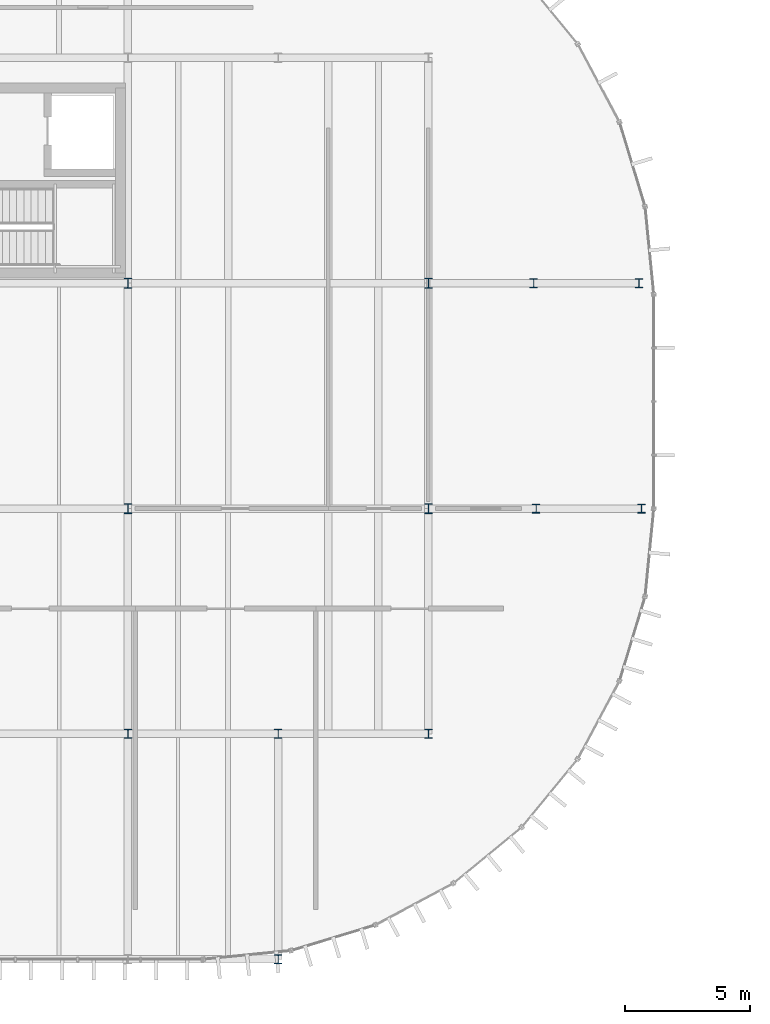
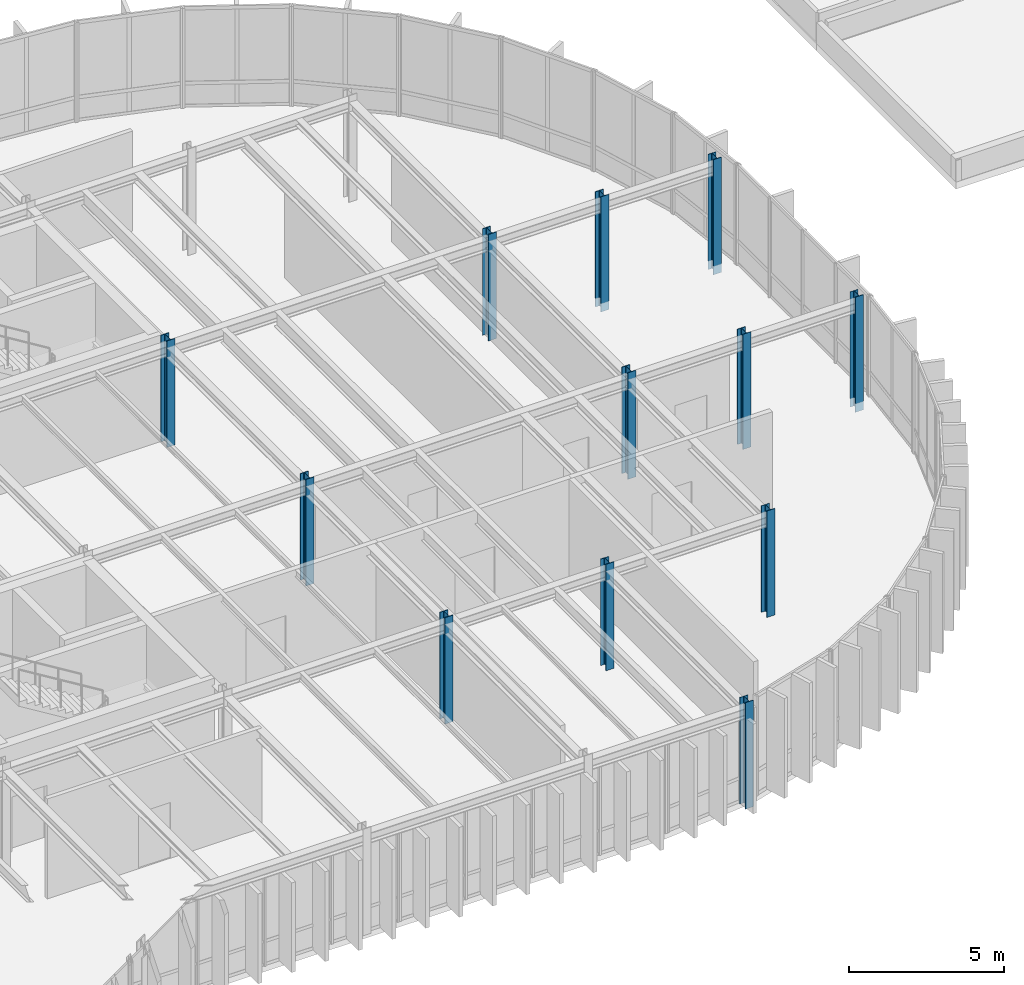
# One storey, part 3 of 31: 12 columns.
"""IFC4 building model written with IfcOpenShell, lengths in metres."""

from ifc_helpers import new_model, si_unit, direction, frame, origin, origin_2d, place, context, subcontext, project, spatial, i_section, extrude, material, material_profile, profile_set, type_object, element, save


model = new_model("IFC4")

# Units and contexts
model_context = context("Model", 3, precision=1e-05, world=origin(), true_north=direction((0.0, 1.0)))
body_context = subcontext(model_context, "Body", "Model", "MODEL_VIEW")
ifc_project = project(units=[si_unit("LENGTHUNIT", "METRE"), si_unit("AREAUNIT", "SQUARE_METRE"), si_unit("VOLUMEUNIT", "CUBIC_METRE"), si_unit("PLANEANGLEUNIT", "RADIAN"), si_unit("MASSUNIT", "GRAM", prefix="KILO")], contexts=[model_context])

# Site, building, storey
site_placement = place(None, origin())
site = spatial("IfcSite", under=ifc_project, at=site_placement, CompositionType="ELEMENT")
building_placement = place(site_placement, origin())
building = spatial("IfcBuilding", under=site, at=building_placement, Name="Montealbar Specialist Clinic", CompositionType="ELEMENT")
storey_placement = place(building_placement, frame((0.0, 0.0, 13.800048828125)))
storey = spatial("IfcBuildingStorey", under=building, at=storey_placement, Name="L03", CompositionType="ELEMENT", Elevation=13.800048828125)

# Columns
ifc_material = material(Name="Steel S355", Category="steel")
ifc_material_profile_1 = material_profile(ifc_material, i_section(OverallWidth=0.300048828125, OverallDepth=0.39990234375, WebThickness=0.013427734375, FlangeThickness=0.02392578125, FilletRadius=0.027099609375, at=origin_2d()), Name="HEB 400", Category="steel")
ifc_profile_set_1 = profile_set([ifc_material_profile_1], Name="Steel S355")
column_type_1 = type_object("IfcColumnType", Name="COL-S-L02-STD", PredefinedType="COLUMN", material=ifc_profile_set_1)
for number, where, z_axis, x_axis, name in (
    (1, (99.0, 18.0, 0.0), (0.0, 0.0, 1.0), (1.0, 0.0, 0.0), "Column 13/C L03"),
    (2, (99.0, 27.0, 0.0), (0.0, 0.0, 1.0), (1.0, 0.0, 0.0), "Column 13/D L03"),
    (3, (111.0, 18.0, 0.0), (0.0, 0.0, 1.0), (1.0, 0.0, 0.0), "Column 15/C L03"),
    (4, (111.0, 27.0, 0.0), (0.0, 0.0, 1.0), (1.0, 0.0, 0.0), "Column 15/D L03"),
):
    element("IfcColumn", number, at=place(storey_placement, frame(where, z_axis=z_axis, x_axis=x_axis)), inside=storey, type_object=column_type_1, Name=name, PredefinedType="COLUMN", context=body_context, shape_type="SweptSolid", body=[
        extrude(i_section(OverallWidth=0.300048828125, OverallDepth=0.39990234375, WebThickness=0.013427734375, FlangeThickness=0.02392578125, FilletRadius=0.027099609375, at=origin_2d()), origin(), (0.0, 0.0, 1.0), 4.199951171875),
    ])
ifc_material_profile_2 = material_profile(ifc_material, i_section(OverallWidth=0.300048828125, OverallDepth=0.360107421875, WebThickness=0.012451171875, FlangeThickness=0.0224609375, FilletRadius=0.027099609375, at=origin_2d()), Name="HEB 360", Category="steel")
ifc_profile_set_2 = profile_set([ifc_material_profile_2], Name="Steel S355")
column_type_2 = type_object("IfcColumnType", Name="COL-S-L03-STD", PredefinedType="COLUMN", material=ifc_profile_set_2)
for number, where, z_axis, x_axis, name in (
    (5, (99.0, 9.0, 0.0), (0.0, 0.0, 1.0), (1.0, 0.0, 0.0), "Column 13/B L03"),
    (6, (105.0, 9.0, 0.0), (0.0, 0.0, 1.0), (1.0, 0.0, 0.0), "Column 14/B L03"),
    (7, (111.0, 9.0, 0.0), (0.0, 0.0, 1.0), (1.0, 0.0, 0.0), "Column 15/B L03"),
):
    element("IfcColumn", number, at=place(storey_placement, frame(where, z_axis=z_axis, x_axis=x_axis)), inside=storey, type_object=column_type_2, Name=name, PredefinedType="COLUMN", context=body_context, shape_type="SweptSolid", body=[
        extrude(i_section(OverallWidth=0.300048828125, OverallDepth=0.360107421875, WebThickness=0.012451171875, FlangeThickness=0.0224609375, FilletRadius=0.027099609375, at=origin_2d()), origin(), (0.0, 0.0, 1.0), 4.199951171875),
    ])
for number, where, z_axis, x_axis, name in (
    (8, (115.199951171875, 27.0, -0.340087890625), (0.0, 0.0, 1.0), (1.0, 0.0, 0.0), "Column 15A/D L03"),
    (9, (115.300048828125, 18.0, -0.340087890625), (0.0, 0.0, 1.0), (1.0, 0.0, 0.0), "Column 15A/C L03"),
):
    element("IfcColumn", number, at=place(storey_placement, frame(where, z_axis=z_axis, x_axis=x_axis)), inside=storey, type_object=column_type_2, Name=name, PredefinedType="COLUMN", context=body_context, shape_type="SweptSolid", body=[
        extrude(i_section(OverallWidth=0.300048828125, OverallDepth=0.360107421875, WebThickness=0.012451171875, FlangeThickness=0.0224609375, FilletRadius=0.027099609375, at=origin_2d()), origin(), (0.0, 0.0, 1.0), 4.5400390625),
    ])
ifc_material_profile_3 = material_profile(ifc_material, i_section(OverallWidth=0.300048828125, OverallDepth=0.360107421875, WebThickness=0.012451171875, FlangeThickness=0.0224609375, FilletRadius=0.027099609375, at=origin_2d()), Name="HEB 360", Category="steel")
ifc_profile_set_3 = profile_set([ifc_material_profile_3], Name="Steel S355")
column_type_3 = type_object("IfcColumnType", Name="COL-S-L03-STD-EXT", PredefinedType="COLUMN", material=ifc_profile_set_3)
column_placement = place(storey_placement, frame((105.0, 0.0, 0.0), z_axis=(0.0, 0.0, 1.0), x_axis=(1.0, 0.0, 0.0)))
element("IfcColumn", 10, at=column_placement, inside=storey, type_object=column_type_3, Name="Column 14/A L03", PredefinedType="COLUMN", context=body_context, shape_type="SweptSolid", body=[
    extrude(i_section(OverallWidth=0.300048828125, OverallDepth=0.360107421875, WebThickness=0.012451171875, FlangeThickness=0.0224609375, FilletRadius=0.027099609375, at=origin_2d()), origin(), (0.0, 0.0, 1.0), 4.199951171875),
])
for number, where, z_axis, x_axis, name in (
    (11, (119.39990234375, 27.0, -0.340087890625), (0.0, 0.0, 1.0), (1.0, 0.0, 0.0), "Column 16E/D L03"),
    (12, (119.5, 18.0, -0.340087890625), (0.0, 0.0, 1.0), (1.0, 0.0, 0.0), "Column 16E/C L03"),
):
    element("IfcColumn", number, at=place(storey_placement, frame(where, z_axis=z_axis, x_axis=x_axis)), inside=storey, type_object=column_type_3, Name=name, PredefinedType="COLUMN", context=body_context, shape_type="SweptSolid", body=[
        extrude(i_section(OverallWidth=0.300048828125, OverallDepth=0.360107421875, WebThickness=0.012451171875, FlangeThickness=0.0224609375, FilletRadius=0.027099609375, at=origin_2d()), origin(), (0.0, 0.0, 1.0), 4.5400390625),
    ])

save(model, "model.ifc")
